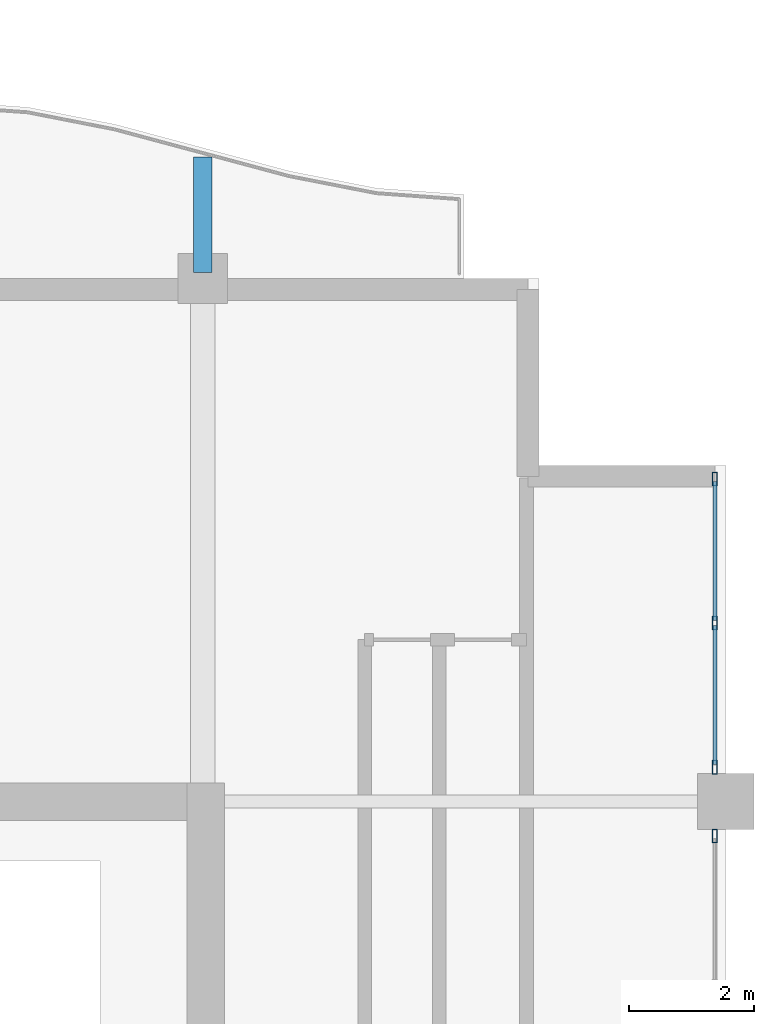
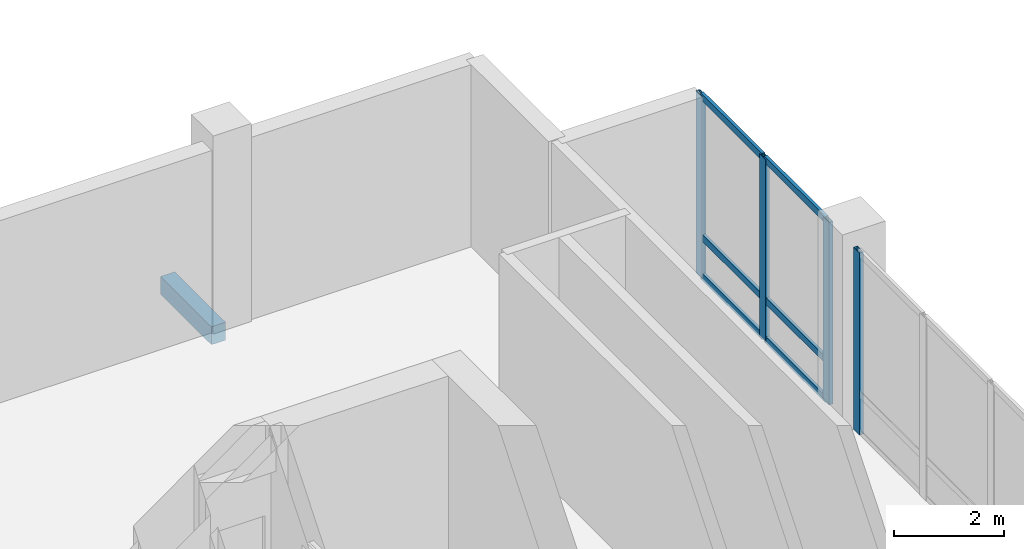
# One storey, part 4 of 15: 10 members, 1 beam, 2 elements without a shape of their own.
"""IFC4 building model written with IfcOpenShell, lengths in metres."""

from ifc_helpers import new_model, si_unit, direction, frame, origin, origin_2d, place, context, subcontext, project, spatial, rectangle, hollow_rectangle, extrude, material, layer, layer_set, material_profile, profile_set, type_object, element, aggregate, save


model = new_model("IFC4")

# Units and contexts
model_context = context("Model", 3, precision=1e-05, world=origin(), true_north=direction((0.0, 1.0)))
body_context = subcontext(model_context, "Body", "Model", "MODEL_VIEW")
ifc_project = project(units=[si_unit("LENGTHUNIT", "METRE"), si_unit("AREAUNIT", "SQUARE_METRE"), si_unit("VOLUMEUNIT", "CUBIC_METRE"), si_unit("PLANEANGLEUNIT", "RADIAN"), si_unit("MASSUNIT", "GRAM", prefix="KILO")], contexts=[model_context])

# Site, building, storey
site_placement = place(None, origin())
site = spatial("IfcSite", under=ifc_project, at=site_placement, CompositionType="ELEMENT")
building_placement = place(site_placement, origin())
building = spatial("IfcBuilding", under=site, at=building_placement, Name="Koriwani Terraces Tower", CompositionType="ELEMENT")
storey_placement = place(building_placement, frame((0.0, 0.0, 290.39990234375)))
storey = spatial("IfcBuildingStorey", under=building, at=storey_placement, Name="L72", CompositionType="ELEMENT", Elevation=290.39990234375)

# Beam
ifc_material_1 = material(Name="Concrete C40/50", Category="concrete")
ifc_material_profile_1 = material_profile(ifc_material_1, rectangle(XDim=0.300048828125, YDim=0.39990234375, at=origin_2d()), Name="Concrete C40/50", Category="LoadBearing")
ifc_profile_set_1 = profile_set([ifc_material_profile_1], Name="Concrete C40/50")
beam_type = type_object("IfcBeamType", Name="BEAM_RC_BALCONY_RIB_300X400", PredefinedType="JOIST", material=ifc_profile_set_1)
beam_placement = place(storey_placement, frame((58.800048828125, 33.699951171875, -0.429931640625), z_axis=(0.0, 1.0, 0.0), x_axis=(-1.0, 0.0, 0.0)))
element("IfcBeam", 1, at=beam_placement, inside=storey, type_object=beam_type, Name="L72 Balcony Bracket Rib NE-3", PredefinedType="JOIST", context=body_context, shape_type="SweptSolid", body=[
    extrude(rectangle(XDim=0.300048828125, YDim=0.39990234375, at=origin_2d()), origin(), (0.0, 0.0, 1.0), 1.85009765625),
])

# Curtain wall, members
ifc_material_2 = material(Name="Anodised Bronze Aluminium", Category="aluminium")
ifc_layer = layer(ifc_material_2, 0.219970703125, Name="Anodised Bronze Aluminium")
ifc_layer_set = layer_set([ifc_layer], Name="Anodised Bronze Aluminium")
curtain_wall_type = type_object("IfcCurtainWallType", Name="CW_SKY_LOUNGE", PredefinedType="NOTDEFINED", material=ifc_layer_set)
curtain_wall_1_placement = place(storey_placement, origin())
curtain_wall_1 = element("IfcCurtainWall", 2, at=curtain_wall_1_placement, inside=storey, type_object=curtain_wall_type, Name="L72 Unitised Curtain Wall (E_TIP) Bay 1", PredefinedType="NOTDEFINED")
ifc_material_profile_2 = material_profile(ifc_material_2, hollow_rectangle(XDim=0.0849609375, YDim=0.219970703125, WallThickness=0.008056640625, at=origin_2d()), Name="Anodised Bronze Aluminium", Category="LoadBearing")
ifc_profile_set_2 = profile_set([ifc_material_profile_2], Name="Anodised Bronze Aluminium")
member_type_1 = type_object("IfcMemberType", Name="CW_MULLION_220X85", PredefinedType="MULLION", material=ifc_profile_set_2)
member_1_placement = place(storey_placement, frame((67.02490234375, 30.382568359375, 0.0), z_axis=(0.0, 0.0, 1.0), x_axis=(1.0, 0.0, 0.0)))
member_1 = element("IfcMember", 3, at=member_1_placement, type_object=member_type_1, Name="CW-SKY mullion 1", PredefinedType="MULLION", context=body_context, shape_type="SweptSolid", body=[
    extrude(hollow_rectangle(XDim=0.0849609375, YDim=0.219970703125, WallThickness=0.008056640625, at=origin_2d()), origin(), (0.0, 0.0, 1.0), 4.050048828125),
])
member_2_placement = place(storey_placement, frame((67.02490234375, 28.0673828125, 0.0), z_axis=(0.0, 0.0, 1.0), x_axis=(1.0, 0.0, 0.0)))
member_2 = element("IfcMember", 4, at=member_2_placement, type_object=member_type_1, Name="CW-SKY mullion 2", PredefinedType="MULLION", context=body_context, shape_type="SweptSolid", body=[
    extrude(hollow_rectangle(XDim=0.0849609375, YDim=0.219970703125, WallThickness=0.008056640625, at=origin_2d()), origin(), (0.0, 0.0, 1.0), 4.050048828125),
])
member_3_placement = place(storey_placement, frame((67.02490234375, 25.75244140625, 0.0), z_axis=(0.0, 0.0, 1.0), x_axis=(1.0, 0.0, 0.0)))
member_3 = element("IfcMember", 5, at=member_3_placement, type_object=member_type_1, Name="CW-SKY mullion 3", PredefinedType="MULLION", context=body_context, shape_type="SweptSolid", body=[
    extrude(hollow_rectangle(XDim=0.0849609375, YDim=0.219970703125, WallThickness=0.008056640625, at=origin_2d()), origin(), (0.0, 0.0, 1.0), 4.050048828125),
])

# Curtain wall, member
curtain_wall_2_placement = place(storey_placement, origin())
curtain_wall_2 = element("IfcCurtainWall", 6, at=curtain_wall_2_placement, inside=storey, type_object=curtain_wall_type, Name="L72 Unitised Curtain Wall (E_TIP) Bay 2", PredefinedType="NOTDEFINED")
member_4_placement = place(storey_placement, frame((67.02490234375, 24.6474609375, 0.0), z_axis=(0.0, 0.0, 1.0), x_axis=(1.0, 0.0, 0.0)))
member_4 = element("IfcMember", 7, at=member_4_placement, type_object=member_type_1, Name="CW-SKY mullion 1", PredefinedType="MULLION", context=body_context, shape_type="SweptSolid", body=[
    extrude(hollow_rectangle(XDim=0.0849609375, YDim=0.219970703125, WallThickness=0.008056640625, at=origin_2d()), origin(), (0.0, 0.0, 1.0), 4.050048828125),
])
aggregate(curtain_wall_2, [member_4])

# Member
ifc_material_profile_3 = material_profile(ifc_material_2, hollow_rectangle(XDim=0.06494140625, YDim=0.14990234375, WallThickness=0.0048828125, at=origin_2d()), Name="Anodised Bronze Aluminium", Category="LoadBearing")
ifc_profile_set_3 = profile_set([ifc_material_profile_3], Name="Anodised Bronze Aluminium")
member_type_2 = type_object("IfcMemberType", Name="CW_TRANSOM_150X65", PredefinedType="USERDEFINED", material=ifc_profile_set_3)
member_5_placement = place(storey_placement, frame((67.02490234375, 30.340087890625, 0.03271484375), z_axis=(0.0, -1.0, 0.0), x_axis=(1.0, 0.0, 0.0)))
member_5 = element("IfcMember", 8, at=member_5_placement, type_object=member_type_2, Name="CW-SKY transom 1.1", ObjectType="TRANSOM", PredefinedType="USERDEFINED", context=body_context, shape_type="SweptSolid", body=[
    extrude(hollow_rectangle(XDim=0.06494140625, YDim=0.14990234375, WallThickness=0.0048828125, at=origin_2d()), origin(), (0.0, 0.0, 1.0), 2.22998046875),
])

member_6_placement = place(storey_placement, frame((67.02490234375, 30.340087890625, 0.900146484375), z_axis=(0.0, -1.0, 0.0), x_axis=(1.0, 0.0, 0.0)))
member_6 = element("IfcMember", 9, at=member_6_placement, type_object=member_type_2, Name="CW-SKY transom 1.2", ObjectType="TRANSOM", PredefinedType="USERDEFINED", context=body_context, shape_type="SweptSolid", body=[
    extrude(hollow_rectangle(XDim=0.06494140625, YDim=0.14990234375, WallThickness=0.0048828125, at=origin_2d()), origin(), (0.0, 0.0, 1.0), 2.22998046875),
])

member_7_placement = place(storey_placement, frame((67.02490234375, 30.340087890625, 4.017578125), z_axis=(0.0, -1.0, 0.0), x_axis=(1.0, 0.0, 0.0)))
member_7 = element("IfcMember", 10, at=member_7_placement, type_object=member_type_2, Name="CW-SKY transom 1.3", ObjectType="TRANSOM", PredefinedType="USERDEFINED", context=body_context, shape_type="SweptSolid", body=[
    extrude(hollow_rectangle(XDim=0.06494140625, YDim=0.14990234375, WallThickness=0.0048828125, at=origin_2d()), origin(), (0.0, 0.0, 1.0), 2.22998046875),
])

member_8_placement = place(storey_placement, frame((67.02490234375, 28.02490234375, 0.03271484375), z_axis=(0.0, -1.0, 0.0), x_axis=(1.0, 0.0, 0.0)))
member_8 = element("IfcMember", 11, at=member_8_placement, type_object=member_type_2, Name="CW-SKY transom 2.1", ObjectType="TRANSOM", PredefinedType="USERDEFINED", context=body_context, shape_type="SweptSolid", body=[
    extrude(hollow_rectangle(XDim=0.06494140625, YDim=0.14990234375, WallThickness=0.0048828125, at=origin_2d()), origin(), (0.0, 0.0, 1.0), 2.22998046875),
])

member_9_placement = place(storey_placement, frame((67.02490234375, 28.02490234375, 0.900146484375), z_axis=(0.0, -1.0, 0.0), x_axis=(1.0, 0.0, 0.0)))
member_9 = element("IfcMember", 12, at=member_9_placement, type_object=member_type_2, Name="CW-SKY transom 2.2", ObjectType="TRANSOM", PredefinedType="USERDEFINED", context=body_context, shape_type="SweptSolid", body=[
    extrude(hollow_rectangle(XDim=0.06494140625, YDim=0.14990234375, WallThickness=0.0048828125, at=origin_2d()), origin(), (0.0, 0.0, 1.0), 2.22998046875),
])

member_10_placement = place(storey_placement, frame((67.02490234375, 28.02490234375, 4.017578125), z_axis=(0.0, -1.0, 0.0), x_axis=(1.0, 0.0, 0.0)))
member_10 = element("IfcMember", 13, at=member_10_placement, type_object=member_type_2, Name="CW-SKY transom 2.3", ObjectType="TRANSOM", PredefinedType="USERDEFINED", context=body_context, shape_type="SweptSolid", body=[
    extrude(hollow_rectangle(XDim=0.06494140625, YDim=0.14990234375, WallThickness=0.0048828125, at=origin_2d()), origin(), (0.0, 0.0, 1.0), 2.22998046875),
])

aggregate(curtain_wall_1, [member_1, member_2, member_3, member_5, member_6, member_7, member_8, member_9, member_10])

save(model, "model.ifc")
